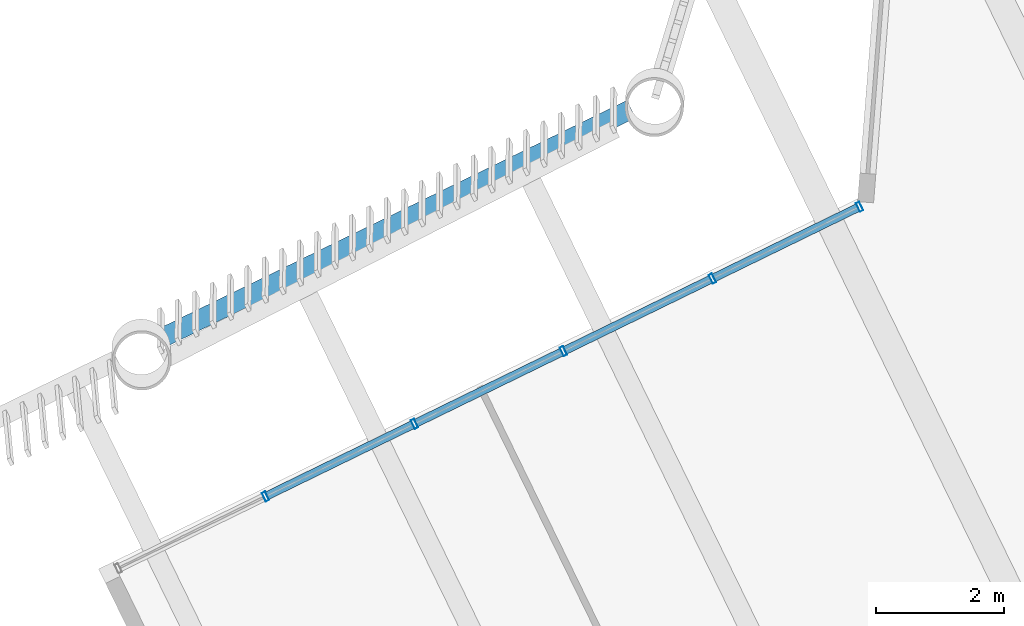
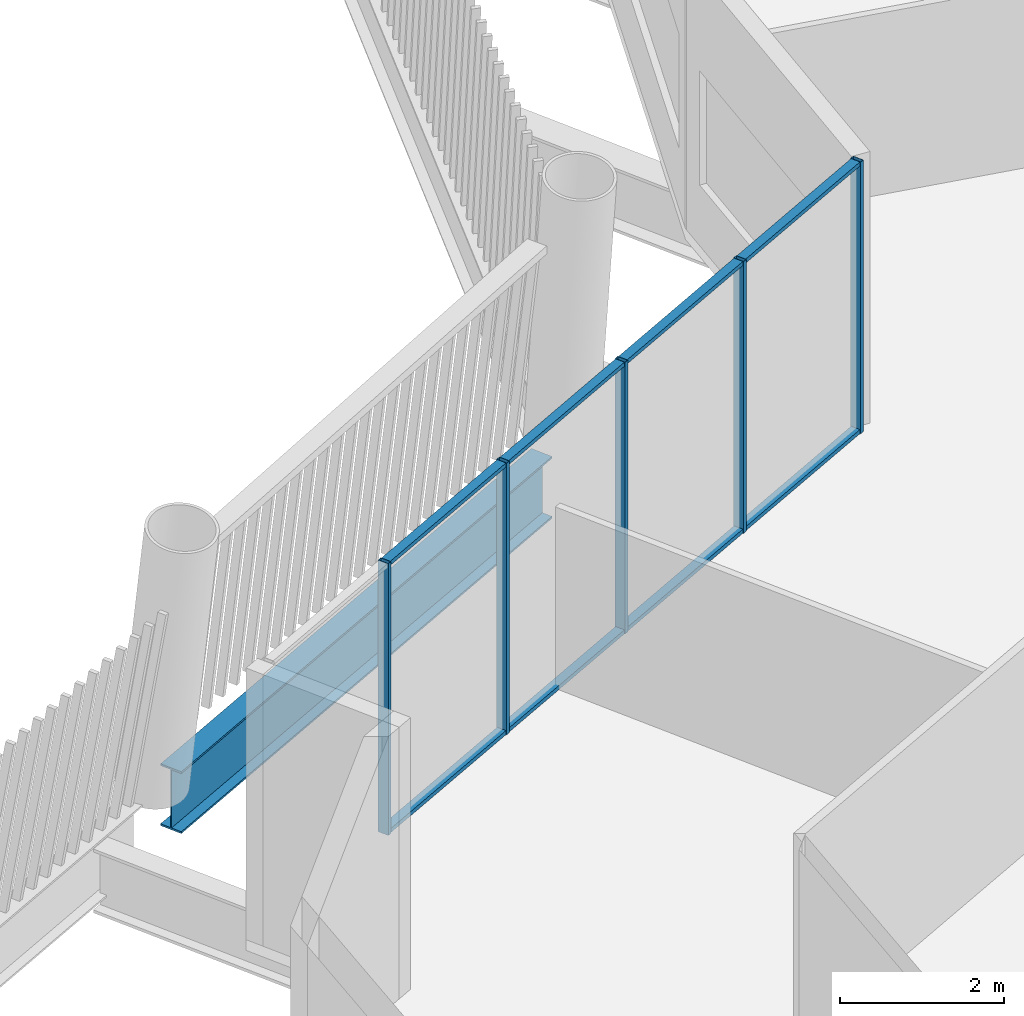
# One storey, part 14 of 31: 13 members, 1 beam, 1 element without a shape of its own.
"""IFC4 building model written with IfcOpenShell, lengths in metres."""

from ifc_helpers import new_model, si_unit, direction, frame, origin, origin_2d, place, context, subcontext, project, spatial, hollow_rectangle, i_section, extrude, material, layer, layer_set, material_profile, profile_set, type_object, element, aggregate, save


model = new_model("IFC4")

# Units and contexts
model_context = context("Model", 3, precision=1e-05, world=origin(), true_north=direction((0.0, 1.0)))
body_context = subcontext(model_context, "Body", "Model", "MODEL_VIEW")
ifc_project = project(units=[si_unit("LENGTHUNIT", "METRE"), si_unit("AREAUNIT", "SQUARE_METRE"), si_unit("VOLUMEUNIT", "CUBIC_METRE"), si_unit("PLANEANGLEUNIT", "RADIAN"), si_unit("MASSUNIT", "GRAM", prefix="KILO")], contexts=[model_context])

# Site, building, storey
site_placement = place(None, origin())
site = spatial("IfcSite", under=ifc_project, at=site_placement, CompositionType="ELEMENT")
building_placement = place(site_placement, origin())
building = spatial("IfcBuilding", under=site, at=building_placement, Name="Tarsis Ring Headquarters", CompositionType="ELEMENT")
storey_placement = place(building_placement, frame((0.0, 0.0, 390.199951171875)))
storey = spatial("IfcBuildingStorey", under=building, at=storey_placement, Name="L92", CompositionType="ELEMENT", Elevation=390.199951171875)

# Curtain wall, members
ifc_material_1 = material(Name="Aluminium curtain wall", Category="aluminium")
ifc_layer = layer(ifc_material_1, 0.14990234375)
ifc_layer_set = layer_set([ifc_layer], Name="Curtain wall tower unit")
curtain_wall_type = type_object("IfcCurtainWallType", Name="Curtain wall tower unit", PredefinedType="NOTDEFINED", material=ifc_layer_set)
curtain_wall_placement = place(storey_placement, origin())
curtain_wall = element("IfcCurtainWall", 1, at=curtain_wall_placement, inside=storey, type_object=curtain_wall_type, Name="Curtain wall L92-31", PredefinedType="NOTDEFINED")
ifc_material_2 = material(Name="Aluminium mullion", Category="aluminium")
ifc_material_profile_1 = material_profile(ifc_material_2, hollow_rectangle(XDim=0.14990234375, YDim=0.06005859375, WallThickness=0.0048828125, at=origin_2d()), Name="RHS 150x60x5")
ifc_profile_set_1 = profile_set([ifc_material_profile_1], Name="Aluminium mullion")
member_type_1 = type_object("IfcMemberType", Name="Curtain wall mullion tower unit RHS 150x60x5", PredefinedType="MULLION", material=ifc_profile_set_1)
member_1_placement = place(storey_placement, frame((-25.768798828125, 0.643798828125, 0.0), z_axis=(0.0, 0.0, 1.0), x_axis=(0.438371155762, -0.898794041923, 0.0)))
member_1 = element("IfcMember", 2, at=member_1_placement, type_object=member_type_1, Name="CW-T mullion 1", PredefinedType="MULLION", context=body_context, shape_type="SweptSolid", body=[
    extrude(hollow_rectangle(XDim=0.14990234375, YDim=0.06005859375, WallThickness=0.0048828125, at=origin_2d()), origin(), (0.0, 0.0, 1.0), 4.0400390625),
])
member_2_placement = place(storey_placement, frame((-28.06103515625, -0.47412109375, 0.0), z_axis=(0.0, 0.0, 1.0), x_axis=(0.438371155762, -0.898794041923, 0.0)))
member_2 = element("IfcMember", 3, at=member_2_placement, type_object=member_type_1, Name="CW-T mullion 2", PredefinedType="MULLION", context=body_context, shape_type="SweptSolid", body=[
    extrude(hollow_rectangle(XDim=0.14990234375, YDim=0.06005859375, WallThickness=0.0048828125, at=origin_2d()), origin(), (0.0, 0.0, 1.0), 4.0400390625),
])
member_3_placement = place(storey_placement, frame((-30.380126953125, -1.605224609375, 0.0), z_axis=(0.0, 0.0, 1.0), x_axis=(0.438371155762, -0.898794041923, 0.0)))
member_3 = element("IfcMember", 4, at=member_3_placement, type_object=member_type_1, Name="CW-T mullion 3", PredefinedType="MULLION", context=body_context, shape_type="SweptSolid", body=[
    extrude(hollow_rectangle(XDim=0.14990234375, YDim=0.06005859375, WallThickness=0.0048828125, at=origin_2d()), origin(), (0.0, 0.0, 1.0), 4.0400390625),
])
member_4_placement = place(storey_placement, frame((-32.69921875, -2.736328125, 0.0), z_axis=(0.0, 0.0, 1.0), x_axis=(0.438371155762, -0.898794041923, 0.0)))
member_4 = element("IfcMember", 5, at=member_4_placement, type_object=member_type_1, Name="CW-T mullion 4", PredefinedType="MULLION", context=body_context, shape_type="SweptSolid", body=[
    extrude(hollow_rectangle(XDim=0.14990234375, YDim=0.06005859375, WallThickness=0.0048828125, at=origin_2d()), origin(), (0.0, 0.0, 1.0), 4.0400390625),
])
member_5_placement = place(storey_placement, frame((-35.018310546875, -3.867431640625, 0.0), z_axis=(0.0, 0.0, 1.0), x_axis=(0.438371155762, -0.898794041923, 0.0)))
member_5 = element("IfcMember", 6, at=member_5_placement, type_object=member_type_1, Name="CW-T mullion 5", PredefinedType="MULLION", context=body_context, shape_type="SweptSolid", body=[
    extrude(hollow_rectangle(XDim=0.14990234375, YDim=0.06005859375, WallThickness=0.0048828125, at=origin_2d()), origin(), (0.0, 0.0, 1.0), 4.0400390625),
])
ifc_material_3 = material(Name="Aluminium transom", Category="aluminium")
ifc_material_profile_2 = material_profile(ifc_material_3, hollow_rectangle(XDim=0.1298828125, YDim=0.06005859375, WallThickness=0.0048828125, at=origin_2d()), Name="RHS 130x60x5")
ifc_profile_set_2 = profile_set([ifc_material_profile_2], Name="Aluminium transom")
member_type_2 = type_object("IfcMemberType", Name="Curtain wall transom tower unit RHS 130x60x5", PredefinedType="USERDEFINED", material=ifc_profile_set_2)
member_6_placement = place(storey_placement, frame((-25.7958984375, 0.630615234375, 0.030029296875), z_axis=(-0.898814609559, -0.438328983348, 0.0), x_axis=(0.438328983348, -0.898814609559, 0.0)))
member_6 = element("IfcMember", 7, at=member_6_placement, type_object=member_type_2, Name="CW-T transom 1.1", ObjectType="TRANSOM", PredefinedType="USERDEFINED", context=body_context, shape_type="SweptSolid", body=[
    extrude(hollow_rectangle(XDim=0.1298828125, YDim=0.06005859375, WallThickness=0.0048828125, at=origin_2d()), origin(), (0.0, 0.0, 1.0), 2.490234375),
])
member_7_placement = place(storey_placement, frame((-25.7958984375, 0.630615234375, 4.010009765625), z_axis=(-0.898814609559, -0.438328983348, 0.0), x_axis=(0.438328983348, -0.898814609559, 0.0)))
member_7 = element("IfcMember", 8, at=member_7_placement, type_object=member_type_2, Name="CW-T transom 1.2", ObjectType="TRANSOM", PredefinedType="USERDEFINED", context=body_context, shape_type="SweptSolid", body=[
    extrude(hollow_rectangle(XDim=0.1298828125, YDim=0.06005859375, WallThickness=0.0048828125, at=origin_2d()), origin(), (0.0, 0.0, 1.0), 2.490234375),
])
member_8_placement = place(storey_placement, frame((-28.088134765625, -0.4873046875, 0.030029296875), z_axis=(-0.898801029469, -0.43835682888, 0.0), x_axis=(0.43835682888, -0.898801029469, 0.0)))
member_8 = element("IfcMember", 9, at=member_8_placement, type_object=member_type_2, Name="CW-T transom 2.1", ObjectType="TRANSOM", PredefinedType="USERDEFINED", context=body_context, shape_type="SweptSolid", body=[
    extrude(hollow_rectangle(XDim=0.1298828125, YDim=0.06005859375, WallThickness=0.0048828125, at=origin_2d()), origin(), (0.0, 0.0, 1.0), 2.520263671875),
])
member_9_placement = place(storey_placement, frame((-28.088134765625, -0.4873046875, 4.010009765625), z_axis=(-0.898801029469, -0.43835682888, 0.0), x_axis=(0.43835682888, -0.898801029469, 0.0)))
member_9 = element("IfcMember", 10, at=member_9_placement, type_object=member_type_2, Name="CW-T transom 2.2", ObjectType="TRANSOM", PredefinedType="USERDEFINED", context=body_context, shape_type="SweptSolid", body=[
    extrude(hollow_rectangle(XDim=0.1298828125, YDim=0.06005859375, WallThickness=0.0048828125, at=origin_2d()), origin(), (0.0, 0.0, 1.0), 2.520263671875),
])
member_10_placement = place(storey_placement, frame((-30.4072265625, -1.618408203125, 0.030029296875), z_axis=(-0.898801029469, -0.43835682888, 0.0), x_axis=(0.43835682888, -0.898801029469, 0.0)))
member_10 = element("IfcMember", 11, at=member_10_placement, type_object=member_type_2, Name="CW-T transom 3.1", ObjectType="TRANSOM", PredefinedType="USERDEFINED", context=body_context, shape_type="SweptSolid", body=[
    extrude(hollow_rectangle(XDim=0.1298828125, YDim=0.06005859375, WallThickness=0.0048828125, at=origin_2d()), origin(), (0.0, 0.0, 1.0), 2.520263671875),
])
member_11_placement = place(storey_placement, frame((-30.4072265625, -1.618408203125, 4.010009765625), z_axis=(-0.898801029469, -0.43835682888, 0.0), x_axis=(0.43835682888, -0.898801029469, 0.0)))
member_11 = element("IfcMember", 12, at=member_11_placement, type_object=member_type_2, Name="CW-T transom 3.2", ObjectType="TRANSOM", PredefinedType="USERDEFINED", context=body_context, shape_type="SweptSolid", body=[
    extrude(hollow_rectangle(XDim=0.1298828125, YDim=0.06005859375, WallThickness=0.0048828125, at=origin_2d()), origin(), (0.0, 0.0, 1.0), 2.520263671875),
])
member_12_placement = place(storey_placement, frame((-32.726318359375, -2.74951171875, 0.030029296875), z_axis=(-0.898801029469, -0.43835682888, 0.0), x_axis=(0.43835682888, -0.898801029469, 0.0)))
member_12 = element("IfcMember", 13, at=member_12_placement, type_object=member_type_2, Name="CW-T transom 4.1", ObjectType="TRANSOM", PredefinedType="USERDEFINED", context=body_context, shape_type="SweptSolid", body=[
    extrude(hollow_rectangle(XDim=0.1298828125, YDim=0.06005859375, WallThickness=0.0048828125, at=origin_2d()), origin(), (0.0, 0.0, 1.0), 2.520263671875),
])
member_13_placement = place(storey_placement, frame((-32.726318359375, -2.74951171875, 4.010009765625), z_axis=(-0.898801029469, -0.43835682888, 0.0), x_axis=(0.43835682888, -0.898801029469, 0.0)))
member_13 = element("IfcMember", 14, at=member_13_placement, type_object=member_type_2, Name="CW-T transom 4.2", ObjectType="TRANSOM", PredefinedType="USERDEFINED", context=body_context, shape_type="SweptSolid", body=[
    extrude(hollow_rectangle(XDim=0.1298828125, YDim=0.06005859375, WallThickness=0.0048828125, at=origin_2d()), origin(), (0.0, 0.0, 1.0), 2.520263671875),
])
aggregate(curtain_wall, [member_1, member_2, member_3, member_4, member_5, member_6, member_7, member_8, member_9, member_10, member_11, member_12, member_13])

# Beam
ifc_material_4 = material(Name="Structural steel S355", Category="steel")
ifc_material_profile_3 = material_profile(ifc_material_4, i_section(OverallWidth=0.3046875, OverallDepth=0.91943359375, WebThickness=0.017333984375, FlangeThickness=0.02783203125, at=origin_2d()), Name="W36x170")
ifc_profile_set_3 = profile_set([ifc_material_profile_3], Name="Structural steel S355")
beam_type = type_object("IfcBeamType", Name="XG Ring girder W36x170", PredefinedType="BEAM", material=ifc_profile_set_3)
beam_placement = place(storey_placement, frame((-29.323486328125, 2.16455078125, -0.459716796875), z_axis=(-0.898795452556, -0.438368263523, 0.0), x_axis=(0.438368263523, -0.898795452556, 0.0)))
element("IfcBeam", 15, at=beam_placement, inside=storey, type_object=beam_type, Name="Ring girder XG4", PredefinedType="BEAM", context=body_context, shape_type="SweptSolid", body=[
    extrude(i_section(OverallWidth=0.3046875, OverallDepth=0.91943359375, WebThickness=0.017333984375, FlangeThickness=0.02783203125, at=origin_2d()), origin(), (0.0, 0.0, 1.0), 8.079345703125),
])

save(model, "model.ifc")
